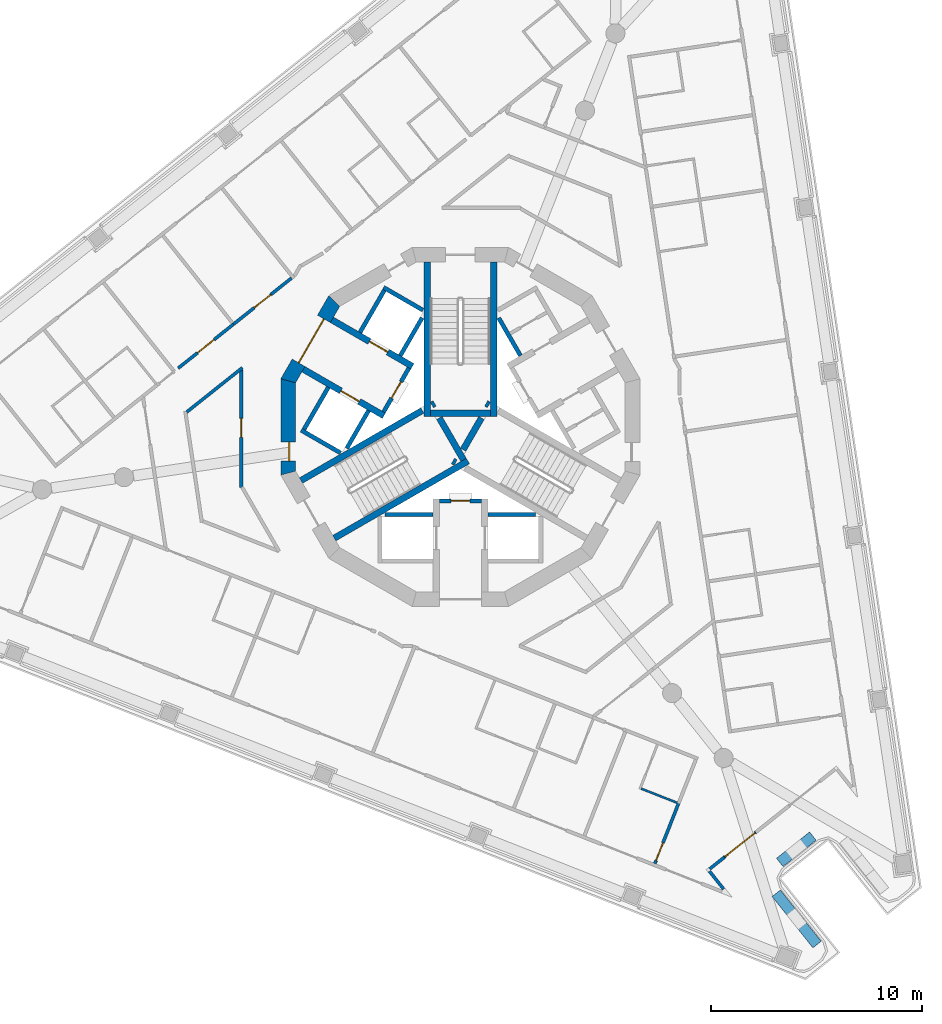
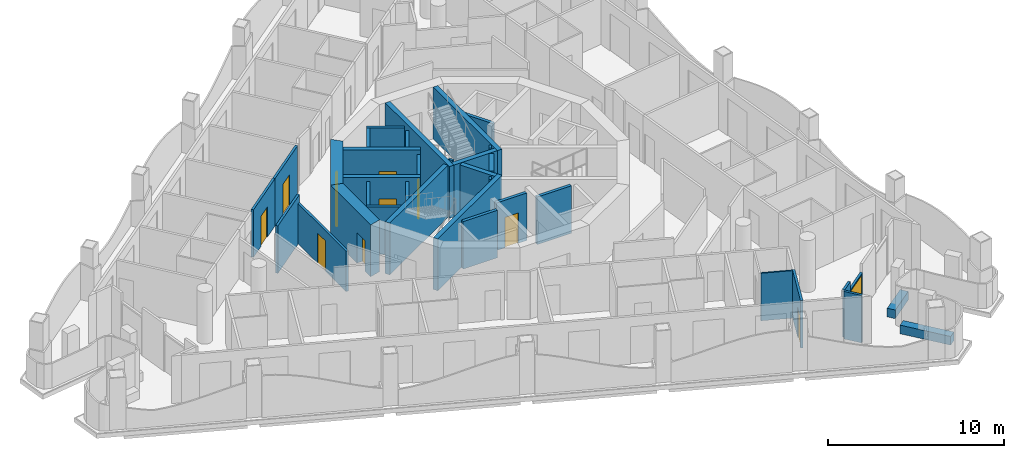
# One storey, part 4 of 16: 36 walls, 11 doors, 11 openings.
"""IFC4 building model written with IfcOpenShell, lengths in metres."""

from ifc_helpers import new_model, si_unit, direction, frame, frame_2d, origin, place, context, subcontext, project, spatial, polyline, rectangle, outline, extrude, material, layer, layer_set, type_object, element, fill, save


model = new_model("IFC4")

# Units and contexts
model_context = context("Model", 3, precision=1e-05, world=origin(), true_north=direction((0.0, 1.0)))
body_context = subcontext(model_context, "Body", "Model", "MODEL_VIEW")
ifc_project = project(units=[si_unit("LENGTHUNIT", "METRE"), si_unit("AREAUNIT", "SQUARE_METRE"), si_unit("VOLUMEUNIT", "CUBIC_METRE"), si_unit("PLANEANGLEUNIT", "RADIAN"), si_unit("MASSUNIT", "GRAM", prefix="KILO")], contexts=[model_context])

# Site, building, storey
site_placement = place(None, origin())
site = spatial("IfcSite", under=ifc_project, at=site_placement, CompositionType="ELEMENT")
building_placement = place(site_placement, origin())
building = spatial("IfcBuilding", under=site, at=building_placement, Name="Trine Commons Tower", CompositionType="ELEMENT")
storey_placement = place(building_placement, frame((0.0, 0.0, 205.199951171875)))
storey = spatial("IfcBuildingStorey", under=building, at=storey_placement, Name="L53", CompositionType="ELEMENT", Elevation=205.199951171875)

# Wall, opening, door
ifc_material_1 = material(Name="Aluminium-framed insulated wall panel", Category="aluminium")
ifc_layer_1 = layer(ifc_material_1, 0.14990234375)
ifc_layer_set_1 = layer_set([ifc_layer_1], Name="Aluminium-framed insulated wall panel")
wall_type_1 = type_object("IfcWallType", Name="Glazed frame wall 150, EI 60", PredefinedType="SOLIDWALL", material=ifc_layer_set_1)
wall_1_placement = place(storey_placement, frame((93.98095703125, 43.317138671875, 0.0), z_axis=(0.0, 0.0, 1.0), x_axis=(-0.782670764896, -0.622435919415, 0.0)))
wall_1 = element("IfcWall", 1, at=wall_1_placement, inside=storey, type_object=wall_type_1, Name="Glazed frame wall P2.4", PredefinedType="SOLIDWALL", context=body_context, shape_type="SweptSolid", body=[
    extrude(outline(polyline([(0.0, -0.074951171875), (1.89990234375, -0.074951171875), (1.89990234375, 0.074951171875), (0.0, 0.074951171875), (0.0, -0.074951171875)])), origin(), (0.0, 0.0, 1.0), 2.699951171875),
])
opening_1_placement = place(wall_1_placement, frame((0.050048828125, 0.0, 0.0)))
opening_1 = element("IfcOpeningElement", 2, at=opening_1_placement, cuts=wall_1, Name="Opening BD-6P2-02", PredefinedType="OPENING", context=body_context, shape_type="SweptSolid", body=[
    extrude(rectangle(XDim=1.800048828125, YDim=2.60009765625, at=frame_2d((0.89990234375, 1.300048828125))), frame((0.0, 0.0849609375, 0.0), z_axis=(0.0, -1.0, 0.0), x_axis=(1.0, 0.0, 0.0)), (0.0, 0.0, 1.0), 0.169921875),
])
ifc_material_2 = material(Name="Anodised aluminium frame with double glazing", Category="aluminium")
door_type_1 = type_object("IfcDoorType", Name="Sliding loggia door 1800x2600", OperationType="SLIDING_TO_LEFT", PredefinedType="DOOR", material=ifc_material_2)
door_1_placement = place(opening_1_placement, origin())
door_1 = element("IfcDoor", 3, at=door_1_placement, inside=storey, type_object=door_type_1, Name="Loggia door P2 2", OperationType="SLIDING_TO_LEFT", OverallHeight=2.60009765625, OverallWidth=1.800048828125, PredefinedType="DOOR", context=body_context, shape_type="SweptSolid", body=[
    extrude(rectangle(XDim=1.800048828125, YDim=2.60009765625, at=frame_2d((0.89990234375, 1.300048828125))), frame((0.0, 0.02490234375, 0.0), z_axis=(0.0, -1.0, 0.0), x_axis=(1.0, 0.0, 0.0)), (0.0, 0.0, 1.0), 0.050048828125),
])
fill(opening_1, door_1)

# Walls
wall_2_placement = place(storey_placement, frame((92.493896484375, 42.134521484375, 0.0), z_axis=(0.0, 0.0, 1.0), x_axis=(-0.782628082779, -0.622489585492, 0.0)))
element("IfcWall", 4, at=wall_2_placement, inside=storey, type_object=wall_type_1, Name="Glazed frame wall P2.5", PredefinedType="SOLIDWALL", context=body_context, shape_type="SweptSolid", body=[
    extrude(outline(polyline([(0.889892578125, 0.074951171875), (0.0, 0.074951171875), (0.0, -0.074951171875), (0.889892578125, -0.074951171875), (0.889892578125, 0.074951171875)])), origin(), (0.0, 0.0, 1.0), 3.300048828125),
])
wall_3_placement = place(storey_placement, frame((91.716796875, 41.56103515625, 0.0), z_axis=(0.0, 0.0, 1.0), x_axis=(0.622611995912, -0.7825307039, 0.0)))
element("IfcWall", 5, at=wall_3_placement, inside=storey, type_object=wall_type_1, Name="Glazed frame wall R8", PredefinedType="SOLIDWALL", context=body_context, shape_type="SweptSolid", body=[
    extrude(outline(polyline([(0.110107421875, 0.074951171875), (0.110107421875, -0.074951171875), (1.19580078125, -0.074951171875), (1.19580078125, 0.074951171875), (0.110107421875, 0.074951171875)])), origin(), (0.0, 0.0, 1.0), 3.300048828125),
])

# Wall, opening, door
ifc_material_3 = material(Name="Fire-rated gypsum shaft wall system")
ifc_layer_2 = layer(ifc_material_3, 0.199951171875)
ifc_layer_set_2 = layer_set([ifc_layer_2], Name="Fire-rated gypsum shaft wall system")
wall_type_2 = type_object("IfcWallType", Name="Lobby end wall 200 mm, EI 120", PredefinedType="PARTITIONING", material=ifc_layer_set_2)
wall_4_placement = place(storey_placement, frame((77.569091796875, 65.2890625, 0.0), z_axis=(0.0, 0.0, 1.0), x_axis=(-0.50012165622, -0.865955154139, 0.0)))
wall_4 = element("IfcWall", 6, at=wall_4_placement, inside=storey, type_object=wall_type_2, Name="Lobby end wall L53", PredefinedType="PARTITIONING", context=body_context, shape_type="SweptSolid", body=[
    extrude(rectangle(XDim=2.39990234375, YDim=0.199951171875, at=frame_2d((1.199951171875, 0.0))), origin(), (0.0, 0.0, 1.0), 3.300048828125),
])
opening_2_placement = place(wall_4_placement, frame((0.749755859375, 0.0, 0.0)))
opening_2 = element("IfcOpeningElement", 7, at=opening_2_placement, cuts=wall_4, Name="Opening K15.07", PredefinedType="OPENING", context=body_context, shape_type="SweptSolid", body=[
    extrude(rectangle(XDim=0.89990234375, YDim=2.10009765625, at=frame_2d((0.449951171875, 1.050048828125))), frame((0.0, 0.10986328125, 0.0), z_axis=(0.0, -1.0, 0.0), x_axis=(1.0, 0.0, 0.0)), (0.0, 0.0, 1.0), 0.219970703125),
])
ifc_material_4 = material(Name="Steel door leaf, fire-rated", Category="steel")
door_type_2 = type_object("IfcDoorType", Name="Riser access door, single leaf 900 x 2100, FD60", OperationType="SINGLE_SWING_LEFT", PredefinedType="DOOR", material=ifc_material_4)
door_2_placement = place(opening_2_placement, frame((0.89990234375, 0.0, 0.0), z_axis=(0.0, 0.0, 1.0), x_axis=(-1.0, 0.0, 0.0)))
door_2 = element("IfcDoor", 8, at=door_2_placement, inside=storey, type_object=door_type_2, Name="Riser door, Mechanical riser L53", OperationType="SINGLE_SWING_RIGHT", OverallHeight=2.10009765625, OverallWidth=0.89990234375, PredefinedType="DOOR", context=body_context, shape_type="SweptSolid", body=[
    extrude(rectangle(XDim=0.89990234375, YDim=2.10009765625, at=frame_2d((0.449951171875, 1.050048828125))), frame((0.0, 0.02490234375, 0.0), z_axis=(0.0, -1.0, 0.0), x_axis=(1.0, 0.0, 0.0)), (0.0, 0.0, 1.0), 0.050048828125),
])
fill(opening_2, door_2)

wall_5_placement = place(storey_placement, frame((79.0, 59.0, 0.0), z_axis=(0.0, 0.0, 1.0), x_axis=(1.0, 0.0, 0.0)))
wall_5 = element("IfcWall", 9, at=wall_5_placement, inside=storey, type_object=wall_type_2, Name="Lobby end wall L53", PredefinedType="PARTITIONING", context=body_context, shape_type="SweptSolid", body=[
    extrude(rectangle(XDim=2.0, YDim=0.199951171875, at=frame_2d((1.0, 0.0))), origin(), (0.0, 0.0, 1.0), 3.300048828125),
])
opening_3_placement = place(wall_5_placement, frame((0.550048828125, 0.0, 0.0)))
opening_3 = element("IfcOpeningElement", 10, at=opening_3_placement, cuts=wall_5, Name="Opening K15.09", PredefinedType="OPENING", context=body_context, shape_type="SweptSolid", body=[
    extrude(rectangle(XDim=0.89990234375, YDim=2.10009765625, at=frame_2d((0.449951171875, 1.050048828125))), frame((0.0, 0.10986328125, 0.0), z_axis=(0.0, -1.0, 0.0), x_axis=(1.0, 0.0, 0.0)), (0.0, 0.0, 1.0), 0.219970703125),
])
door_3_placement = place(opening_3_placement, frame((0.89990234375, 0.0, 0.0), z_axis=(0.0, 0.0, 1.0), x_axis=(-1.0, 0.0, 0.0)))
door_3 = element("IfcDoor", 11, at=door_3_placement, inside=storey, type_object=door_type_2, Name="Riser door, Communications riser L53", OperationType="SINGLE_SWING_RIGHT", OverallHeight=2.10009765625, OverallWidth=0.89990234375, PredefinedType="DOOR", context=body_context, shape_type="SweptSolid", body=[
    extrude(rectangle(XDim=0.89990234375, YDim=2.10009765625, at=frame_2d((0.449951171875, 1.050048828125))), frame((0.0, 0.02490234375, 0.0), z_axis=(0.0, -1.0, 0.0), x_axis=(1.0, 0.0, 0.0)), (0.0, 0.0, 1.0), 0.050048828125),
])
fill(opening_3, door_3)

# Walls
ifc_material_5 = material(Name="Planter trough, precast concrete C40/50", Category="concrete")
ifc_layer_3 = layer(ifc_material_5, 0.5)
ifc_layer_set_3 = layer_set([ifc_layer_3], Name="Planter trough, precast concrete C40/50")
wall_type_3 = type_object("IfcWallType", Name="Planter trough 500x600", PredefinedType="PARAPET", material=ifc_layer_set_3)
wall_6_placement = place(storey_placement, frame((96.68212890625, 43.134033203125, 0.0), z_axis=(0.0, 0.0, 1.0), x_axis=(-0.782580779818, -0.622549052733, 0.0)))
element("IfcWall", 12, at=wall_6_placement, inside=storey, type_object=wall_type_3, Name="Planter 8", PredefinedType="PARAPET", context=body_context, shape_type="SweptSolid", body=[
    extrude(rectangle(XDim=2.0, YDim=0.5, at=frame_2d((1.0, 0.0))), origin(), (0.0, 0.0, 1.0), 0.60009765625),
])
wall_7_placement = place(storey_placement, frame((94.950439453125, 40.427490234375, 0.0), z_axis=(0.0, 0.0, 1.0), x_axis=(0.622550971161, -0.782579253691, 0.0)))
element("IfcWall", 13, at=wall_7_placement, inside=storey, type_object=wall_type_3, Name="Planter 9", PredefinedType="PARAPET", context=body_context, shape_type="SweptSolid", body=[
    extrude(rectangle(XDim=3.10009765625, YDim=0.5, at=frame_2d((1.550048828125, 0.0))), origin(), (0.0, 0.0, 1.0), 0.60009765625),
])

# Wall, opening, door
ifc_material_6 = material(Name="Concrete C60/75", Category="concrete")
ifc_layer_4 = layer(ifc_material_6, 0.300048828125)
ifc_layer_set_4 = layer_set([ifc_layer_4], Name="Concrete C60/75")
wall_type_4 = type_object("IfcWallType", Name="RC shear wall 300 mm, C60/75", PredefinedType="SHEAR", material=ifc_layer_set_4)
wall_8_placement = place(storey_placement, frame((76.381103515625, 63.031005859375, 0.0), z_axis=(0.0, 0.0, 1.0), x_axis=(-0.866059941101, 0.499940174841, 0.0)))
wall_8 = element("IfcWall", 14, at=wall_8_placement, inside=storey, type_object=wall_type_4, Name="Core cross wall SWC-01 L53", PredefinedType="SHEAR", context=body_context, shape_type="SweptSolid", body=[
    extrude(rectangle(XDim=4.400390625, YDim=0.300048828125, at=frame_2d((2.2001953125, 0.0))), origin(), (0.0, 0.0, 1.0), 3.60009765625),
])
opening_4_placement = place(wall_8_placement, frame((1.350341796875, 0.0, 0.0)))
opening_4 = element("IfcOpeningElement", 15, at=opening_4_placement, cuts=wall_8, Name="Opening LD7", PredefinedType="OPENING", context=body_context, shape_type="SweptSolid", body=[
    extrude(rectangle(XDim=1.0, YDim=2.10009765625, at=frame_2d((0.5, 1.050048828125))), frame((0.0, 0.159912109375, 0.0), z_axis=(0.0, -1.0, 0.0), x_axis=(1.0, 0.0, 0.0)), (0.0, 0.0, 1.0), 0.320068359375),
])
ifc_material_7 = material(Name="Stainless steel sliding door leaves", Category="steel")
door_type_3 = type_object("IfcDoorType", Name="Lift landing door, centre-opening sliding 1000 x 2100, FD90", OperationType="DOUBLE_DOOR_SLIDING", PredefinedType="DOOR", material=ifc_material_7)
door_4_placement = place(opening_4_placement, origin())
door_4 = element("IfcDoor", 16, at=door_4_placement, inside=storey, type_object=door_type_3, Name="Lift landing door HR3 L53", OperationType="DOUBLE_DOOR_SLIDING", OverallHeight=2.10009765625, OverallWidth=1.0, PredefinedType="DOOR", context=body_context, shape_type="SweptSolid", body=[
    extrude(rectangle(XDim=1.0, YDim=2.10009765625, at=frame_2d((0.5, 1.050048828125))), frame((0.0, 0.02490234375, 0.0), z_axis=(0.0, -1.0, 0.0), x_axis=(1.0, 0.0, 0.0)), (0.0, 0.0, 1.0), 0.050048828125),
])
fill(opening_4, door_4)

wall_9_placement = place(storey_placement, frame((77.73095703125, 65.368896484375, 0.0), z_axis=(0.0, 0.0, 1.0), x_axis=(-0.866035918664, 0.499981787252, 0.0)))
wall_9 = element("IfcWall", 17, at=wall_9_placement, inside=storey, type_object=wall_type_4, Name="Core cross wall SWC-02 L53", PredefinedType="SHEAR", context=body_context, shape_type="SweptSolid", body=[
    extrude(rectangle(XDim=4.400634765625, YDim=0.300048828125, at=frame_2d((2.2001953125, 0.0))), origin(), (0.0, 0.0, 1.0), 3.60009765625),
])
opening_5_placement = place(wall_9_placement, frame((1.3505859375, 0.0, 0.0)))
opening_5 = element("IfcOpeningElement", 18, at=opening_5_placement, cuts=wall_9, Name="Opening LD8", PredefinedType="OPENING", context=body_context, shape_type="SweptSolid", body=[
    extrude(rectangle(XDim=1.0, YDim=2.10009765625, at=frame_2d((0.5, 1.050048828125))), frame((0.0, 0.159912109375, 0.0), z_axis=(0.0, -1.0, 0.0), x_axis=(1.0, 0.0, 0.0)), (0.0, 0.0, 1.0), 0.320068359375),
])
door_5_placement = place(opening_5_placement, origin())
door_5 = element("IfcDoor", 19, at=door_5_placement, inside=storey, type_object=door_type_3, Name="Lift landing door HR4 L53", OperationType="DOUBLE_DOOR_SLIDING", OverallHeight=2.10009765625, OverallWidth=1.0, PredefinedType="DOOR", context=body_context, shape_type="SweptSolid", body=[
    extrude(rectangle(XDim=1.0, YDim=2.10009765625, at=frame_2d((0.5, 1.050048828125))), frame((0.0, 0.02490234375, 0.0), z_axis=(0.0, -1.0, 0.0), x_axis=(1.0, 0.0, 0.0)), (0.0, 0.0, 1.0), 0.050048828125),
])
fill(opening_5, door_5)

# Walls
wall_10_placement = place(storey_placement, frame((78.199951171875, 63.280029296875, 0.0), z_axis=(0.0, 0.0, 1.0), x_axis=(-0.866009627307, -0.500027324665, 0.0)))
element("IfcWall", 20, at=wall_10_placement, inside=storey, type_object=wall_type_4, Name="Core cross wall SWC-07 L53", PredefinedType="SHEAR", context=body_context, shape_type="SweptSolid", body=[
    extrude(rectangle(XDim=6.631591796875, YDim=0.300048828125, at=frame_2d((3.31591796875, 0.0))), origin(), (0.0, 0.0, 1.0), 3.60009765625),
])
wall_11_placement = place(storey_placement, frame((78.425048828125, 63.0009765625, 0.0), z_axis=(0.0, 0.0, 1.0), x_axis=(0.0, 1.0, 0.0)))
element("IfcWall", 21, at=wall_11_placement, inside=storey, type_object=wall_type_4, Name="Core cross wall SWC-08 L53", PredefinedType="SHEAR", context=body_context, shape_type="SweptSolid", body=[
    extrude(rectangle(XDim=7.299072265625, YDim=0.300048828125, at=frame_2d((3.6494140625, 0.0))), origin(), (0.0, 0.0, 1.0), 3.60009765625),
])
wall_12_placement = place(storey_placement, frame((78.779052734375, 63.614013671875, 0.0), z_axis=(0.0, 0.0, 1.0), x_axis=(-0.867737973955, -0.497021939713, 0.0)))
element("IfcWall", 22, at=wall_12_placement, inside=storey, type_object=wall_type_4, Name="Core cross wall SWC-09 L53", PredefinedType="SHEAR", context=body_context, shape_type="SweptSolid", body=[
    extrude(rectangle(XDim=0.14892578125, YDim=0.300048828125, at=frame_2d((0.074462890625, 0.0))), origin(), (0.0, 0.0, 1.0), 3.60009765625),
])
wall_13_placement = place(storey_placement, frame((79.0029296875, 62.926025390625, 0.0), z_axis=(0.0, 0.0, 1.0), x_axis=(0.499965247104, -0.866045467449, 0.0)))
element("IfcWall", 23, at=wall_13_placement, inside=storey, type_object=wall_type_4, Name="Core cross wall SWC-10 L53", PredefinedType="SHEAR", context=body_context, shape_type="SweptSolid", body=[
    extrude(rectangle(XDim=2.292236328125, YDim=0.300048828125, at=frame_2d((1.14599609375, 0.0))), origin(), (0.0, 0.0, 1.0), 3.60009765625),
])
wall_14_placement = place(storey_placement, frame((79.64599609375, 60.885986328125, 0.0), z_axis=(0.0, 0.0, 1.0), x_axis=(0.867331893649, -0.497730234424, 0.0)))
element("IfcWall", 24, at=wall_14_placement, inside=storey, type_object=wall_type_4, Name="Core cross wall SWC-11 L53", PredefinedType="SHEAR", context=body_context, shape_type="SweptSolid", body=[
    extrude(rectangle(XDim=0.148681640625, YDim=0.300048828125, at=frame_2d((0.07421875, 0.0))), origin(), (0.0, 0.0, 1.0), 3.60009765625),
])
wall_15_placement = place(storey_placement, frame((80.1298828125, 61.424072265625, 0.0), z_axis=(0.0, 0.0, 1.0), x_axis=(0.500014901547, 0.866016800201, 0.0)))
element("IfcWall", 25, at=wall_15_placement, inside=storey, type_object=wall_type_4, Name="Core cross wall SWC-12 L53", PredefinedType="SHEAR", context=body_context, shape_type="SweptSolid", body=[
    extrude(rectangle(XDim=1.734375, YDim=0.300048828125, at=frame_2d((0.8671875, 0.0))), origin(), (0.0, 0.0, 1.0), 3.60009765625),
])
wall_16_placement = place(storey_placement, frame((80.35400390625, 60.885986328125, 0.0), z_axis=(0.0, 0.0, 1.0), x_axis=(-0.866032430508, -0.49998782916, 0.0)))
element("IfcWall", 26, at=wall_16_placement, inside=storey, type_object=wall_type_4, Name="Core cross wall SWC-14 L53", PredefinedType="SHEAR", context=body_context, shape_type="SweptSolid", body=[
    extrude(rectangle(XDim=7.300048828125, YDim=0.300048828125, at=frame_2d((3.64990234375, 0.0))), origin(), (0.0, 0.0, 1.0), 3.60009765625),
])
wall_17_placement = place(storey_placement, frame((81.220947265625, 63.614013671875, 0.0), z_axis=(0.0, 0.0, 1.0), x_axis=(0.867737973955, -0.497021939713, 0.0)))
element("IfcWall", 27, at=wall_17_placement, inside=storey, type_object=wall_type_4, Name="Core cross wall SWC-15 L53", PredefinedType="SHEAR", context=body_context, shape_type="SweptSolid", body=[
    extrude(rectangle(XDim=0.14892578125, YDim=0.300048828125, at=frame_2d((0.074462890625, 0.0))), origin(), (0.0, 0.0, 1.0), 3.60009765625),
])
wall_18_placement = place(storey_placement, frame((81.425048828125, 63.15087890625, 0.0), z_axis=(0.0, 0.0, 1.0), x_axis=(-1.0, 0.0, 0.0)))
element("IfcWall", 28, at=wall_18_placement, inside=storey, type_object=wall_type_4, Name="Core cross wall SWC-16 L53", PredefinedType="SHEAR", context=body_context, shape_type="SweptSolid", body=[
    extrude(rectangle(XDim=2.85009765625, YDim=0.300048828125, at=frame_2d((1.425048828125, 0.0))), origin(), (0.0, 0.0, 1.0), 3.60009765625),
])
wall_19_placement = place(storey_placement, frame((81.574951171875, 63.0009765625, 0.0), z_axis=(0.0, 0.0, 1.0), x_axis=(0.0, 1.0, 0.0)))
element("IfcWall", 29, at=wall_19_placement, inside=storey, type_object=wall_type_4, Name="Core cross wall SWC-17 L53", PredefinedType="SHEAR", context=body_context, shape_type="SweptSolid", body=[
    extrude(rectangle(XDim=7.299072265625, YDim=0.300048828125, at=frame_2d((3.6494140625, 0.0))), origin(), (0.0, 0.0, 1.0), 3.60009765625),
])

# Wall, opening, door
ifc_layer_5 = layer(ifc_material_6, 0.699951171875)
ifc_layer_set_5 = layer_set([ifc_layer_5], Name="Concrete C60/75")
wall_type_5 = type_object("IfcWallType", Name="RC shear wall 700 mm, C60/75", PredefinedType="SHEAR", material=ifc_layer_set_5)
wall_20_placement = place(storey_placement, frame((74.08056640625, 68.547607421875, 0.0), z_axis=(0.0, 0.0, 1.0), x_axis=(-0.499983800959, -0.866034756103, 0.0)))
wall_20 = element("IfcWall", 30, at=wall_20_placement, inside=storey, type_object=wall_type_5, Name="Core wall CWF-06 L53", PredefinedType="SHEAR", context=body_context, shape_type="SweptSolid", body=[
    extrude(outline(polyline([(0.0, -0.35009765625), (4.55517578125, -0.35009765625), (4.36767578125, 0.35009765625), (0.1875, 0.35009765625), (0.0, -0.35009765625)])), origin(), (0.0, 0.0, 1.0), 3.60009765625),
])
opening_6_placement = place(wall_20_placement, frame((1.077392578125, 0.0, 0.0)))
opening_6 = element("IfcOpeningElement", 31, at=opening_6_placement, cuts=wall_20, Name="Opening K15.06", PredefinedType="OPENING", context=body_context, shape_type="SweptSolid", body=[
    extrude(rectangle(XDim=2.39990234375, YDim=2.10009765625, at=frame_2d((1.199951171875, 1.050048828125))), frame((0.0, 0.35986328125, 0.0), z_axis=(0.0, -1.0, 0.0), x_axis=(1.0, 0.0, 0.0)), (0.0, 0.0, 1.0), 0.719970703125),
])
ifc_material_8 = material(Name="Steel door leaves, fire-rated", Category="steel")
door_type_4 = type_object("IfcDoorType", Name="Lobby door, double leaf 2400 x 2100, FD60", OperationType="DOUBLE_DOOR_SINGLE_SWING", PredefinedType="DOOR", material=ifc_material_8)
door_6_placement = place(opening_6_placement, origin())
door_6 = element("IfcDoor", 32, at=door_6_placement, inside=storey, type_object=door_type_4, Name="Lobby door, Passenger lift lobby B L53", OperationType="DOUBLE_DOOR_SINGLE_SWING", OverallHeight=2.10009765625, OverallWidth=2.39990234375, PredefinedType="DOOR", context=body_context, shape_type="SweptSolid", body=[
    extrude(rectangle(XDim=2.39990234375, YDim=2.10009765625, at=frame_2d((1.199951171875, 1.050048828125))), frame((0.0, 0.02490234375, 0.0), z_axis=(0.0, -1.0, 0.0), x_axis=(1.0, 0.0, 0.0)), (0.0, 0.0, 1.0), 0.050048828125),
])
fill(opening_6, door_6)

wall_21_placement = place(storey_placement, frame((71.849853515625, 64.777587890625, 0.0), z_axis=(0.0, 0.0, 1.0), x_axis=(0.0, -1.0, 0.0)))
wall_21 = element("IfcWall", 33, at=wall_21_placement, inside=storey, type_object=wall_type_5, Name="Core wall CWF-07 L53", PredefinedType="SHEAR", context=body_context, shape_type="SweptSolid", body=[
    extrude(outline(polyline([(0.0, -0.35009765625), (4.55517578125, -0.35009765625), (4.36767578125, 0.35009765625), (0.1875, 0.35009765625), (0.0, -0.35009765625)])), origin(), (0.0, 0.0, 1.0), 3.60009765625),
])
opening_7_placement = place(wall_21_placement, frame((2.99169921875, 0.0, 0.0)))
opening_7 = element("IfcOpeningElement", 34, at=opening_7_placement, cuts=wall_21, Name="Opening K15.16", PredefinedType="OPENING", context=body_context, shape_type="SweptSolid", body=[
    extrude(rectangle(XDim=0.89990234375, YDim=2.10009765625, at=frame_2d((0.449951171875, 1.050048828125))), frame((0.0, 0.35986328125, 0.0), z_axis=(0.0, -1.0, 0.0), x_axis=(1.0, 0.0, 0.0)), (0.0, 0.0, 1.0), 0.719970703125),
])
door_type_5 = type_object("IfcDoorType", Name="Core room door, single leaf 900 x 2100, FD30S", OperationType="SINGLE_SWING_LEFT", PredefinedType="DOOR", material=ifc_material_4)
door_7_placement = place(opening_7_placement, origin())
door_7 = element("IfcDoor", 35, at=door_7_placement, inside=storey, type_object=door_type_5, Name="Door to Pantry L53", OperationType="SINGLE_SWING_RIGHT", OverallHeight=2.10009765625, OverallWidth=0.89990234375, PredefinedType="DOOR", context=body_context, shape_type="SweptSolid", body=[
    extrude(rectangle(XDim=0.89990234375, YDim=2.10009765625, at=frame_2d((0.449951171875, 1.050048828125))), frame((0.0, 0.0751953125, 0.0), z_axis=(0.0, -1.0, 0.0), x_axis=(1.0, 0.0, 0.0)), (0.0, 0.0, 1.0), 0.050048828125),
])
fill(opening_7, door_7)

# Walls
ifc_layer_6 = layer(ifc_material_3, 0.199951171875)
ifc_layer_set_6 = layer_set([ifc_layer_6], Name="Fire-rated gypsum shaft wall system")
wall_type_6 = type_object("IfcWallType", Name="Shaft wall 200 mm, EI 120", PredefinedType="PARTITIONING", material=ifc_layer_set_6)
wall_22_placement = place(storey_placement, frame((73.7509765625, 64.3759765625, 0.0), z_axis=(0.0, 0.0, 1.0), x_axis=(-0.500136062276, -0.86594683394, 0.0)))
element("IfcWall", 36, at=wall_22_placement, inside=storey, type_object=wall_type_6, Name="Shaft wall L53", PredefinedType="PARTITIONING", context=body_context, shape_type="SweptSolid", body=[
    extrude(rectangle(XDim=2.299072265625, YDim=0.199951171875, at=frame_2d((1.1494140625, 0.0))), origin(), (0.0, 0.0, 1.0), 3.300048828125),
])
wall_23_placement = place(storey_placement, frame((74.324951171875, 61.27392578125, 0.0), z_axis=(0.0, 0.0, 1.0), x_axis=(-0.866102336459, 0.499866725018, 0.0)))
element("IfcWall", 37, at=wall_23_placement, inside=storey, type_object=wall_type_6, Name="Shaft wall L53", PredefinedType="PARTITIONING", context=body_context, shape_type="SweptSolid", body=[
    extrude(rectangle(XDim=2.1484375, YDim=0.199951171875, at=frame_2d((1.07421875, 0.0))), origin(), (0.0, 0.0, 1.0), 3.300048828125),
])
wall_24_placement = place(storey_placement, frame((75.2509765625, 66.97412109375, 0.0), z_axis=(0.0, 0.0, 1.0), x_axis=(0.500136062276, 0.86594683394, 0.0)))
element("IfcWall", 38, at=wall_24_placement, inside=storey, type_object=wall_type_6, Name="Shaft wall L53", PredefinedType="PARTITIONING", context=body_context, shape_type="SweptSolid", body=[
    extrude(rectangle(XDim=2.299072265625, YDim=0.199951171875, at=frame_2d((1.1494140625, 0.0))), origin(), (0.0, 0.0, 1.0), 3.300048828125),
])
wall_25_placement = place(storey_placement, frame((75.656005859375, 63.27587890625, 0.0), z_axis=(0.0, 0.0, 1.0), x_axis=(-0.500271688072, -0.86586848777, 0.0)))
element("IfcWall", 39, at=wall_25_placement, inside=storey, type_object=wall_type_6, Name="Shaft wall L53", PredefinedType="PARTITIONING", context=body_context, shape_type="SweptSolid", body=[
    extrude(rectangle(XDim=2.064697265625, YDim=0.199951171875, at=frame_2d((1.0322265625, 0.0))), origin(), (0.0, 0.0, 1.0), 3.300048828125),
])
wall_26_placement = place(storey_placement, frame((77.156005859375, 65.8740234375, 0.0), z_axis=(0.0, 0.0, 1.0), x_axis=(0.499865770674, 0.866102887253, 0.0)))
element("IfcWall", 40, at=wall_26_placement, inside=storey, type_object=wall_type_6, Name="Shaft wall L53", PredefinedType="PARTITIONING", context=body_context, shape_type="SweptSolid", body=[
    extrude(rectangle(XDim=2.064453125, YDim=0.199951171875, at=frame_2d((1.0322265625, 0.0))), origin(), (0.0, 0.0, 1.0), 3.300048828125),
])
wall_27_placement = place(storey_placement, frame((78.22509765625, 68.028076171875, 0.0), z_axis=(0.0, 0.0, 1.0), x_axis=(-0.866130725101, 0.499817533742, 0.0)))
element("IfcWall", 41, at=wall_27_placement, inside=storey, type_object=wall_type_6, Name="Shaft wall L53", PredefinedType="PARTITIONING", context=body_context, shape_type="SweptSolid", body=[
    extrude(rectangle(XDim=2.148681640625, YDim=0.199951171875, at=frame_2d((1.07421875, 0.0))), origin(), (0.0, 0.0, 1.0), 3.300048828125),
])
for number, where, z_axis, x_axis, name in (
    (42, (78.699951171875, 58.35009765625, 0.0), (0.0, 0.0, 1.0), (-1.0, 0.0, 0.0), "Shaft wall L53"),
    (43, (81.300048828125, 58.35009765625, 0.0), (0.0, 0.0, 1.0), (1.0, 0.0, 0.0), "Shaft wall L53"),
):
    element("IfcWall", number, at=place(storey_placement, frame(where, z_axis=z_axis, x_axis=x_axis)), inside=storey, type_object=wall_type_6, Name=name, PredefinedType="PARTITIONING", context=body_context, shape_type="SweptSolid", body=[
        extrude(rectangle(XDim=2.264892578125, YDim=0.199951171875, at=frame_2d((1.13232421875, 0.0))), origin(), (0.0, 0.0, 1.0), 3.300048828125),
    ])
wall_28_placement = place(storey_placement, frame((82.843994140625, 65.8740234375, 0.0), z_axis=(0.0, 0.0, 1.0), x_axis=(-0.499865770674, 0.866102887253, 0.0)))
element("IfcWall", 44, at=wall_28_placement, inside=storey, type_object=wall_type_6, Name="Shaft wall L53", PredefinedType="PARTITIONING", context=body_context, shape_type="SweptSolid", body=[
    extrude(rectangle(XDim=2.064453125, YDim=0.199951171875, at=frame_2d((1.0322265625, 0.0))), origin(), (0.0, 0.0, 1.0), 3.300048828125),
])

# Wall, opening, door
ifc_material_9 = material(Name="Gypsum plasterboard on steel stud", Category="steel")
ifc_layer_7 = layer(ifc_material_9, 0.14990234375)
ifc_layer_set_7 = layer_set([ifc_layer_7], Name="Gypsum plasterboard on steel stud")
wall_type_7 = type_object("IfcWallType", Name="Unit and corridor wall 150 mm, EI 60", PredefinedType="PARTITIONING", material=ifc_layer_set_7)
wall_29_placement = place(storey_placement, frame((66.64306640625, 65.280029296875, 0.0), z_axis=(0.0, 0.0, 1.0), x_axis=(0.782743987557, 0.622343835788, 0.0)))
wall_29 = element("IfcWall", 45, at=wall_29_placement, inside=storey, type_object=wall_type_7, Name="Partition 023", PredefinedType="PARTITIONING", context=body_context, shape_type="SweptSolid", body=[
    extrude(rectangle(XDim=3.346923828125, YDim=0.14990234375, at=frame_2d((1.67333984375, 0.0))), origin(), (0.0, 0.0, 1.0), 3.300048828125),
])
opening_8_placement = place(wall_29_placement, frame((1.171875, 0.0, 0.0)))
opening_8 = element("IfcOpeningElement", 46, at=opening_8_placement, cuts=wall_29, Name="Opening D-6A07", PredefinedType="OPENING", context=body_context, shape_type="SweptSolid", body=[
    extrude(rectangle(XDim=1.0, YDim=2.10009765625, at=frame_2d((0.5, 1.050048828125))), frame((0.0, 0.0849609375, 0.0), z_axis=(0.0, -1.0, 0.0), x_axis=(1.0, 0.0, 0.0)), (0.0, 0.0, 1.0), 0.169921875),
])
ifc_material_10 = material(Name="Painted timber", Category="wood")
door_type_6 = type_object("IfcDoorType", Name="Amenity room door 1000 x 2100, NOT RATED", OperationType="NOTDEFINED", PredefinedType="DOOR", material=ifc_material_10)
door_8_placement = place(opening_8_placement, origin())
door_8 = element("IfcDoor", 47, at=door_8_placement, inside=storey, type_object=door_type_6, Name="Door D-6A07", OperationType="SINGLE_SWING_LEFT", OverallHeight=2.10009765625, OverallWidth=1.0, PredefinedType="DOOR", context=body_context, shape_type="SweptSolid", body=[
    extrude(rectangle(XDim=1.0, YDim=2.10009765625, at=frame_2d((0.5, 1.050048828125))), frame((0.0, 0.02490234375, 0.0), z_axis=(0.0, -1.0, 0.0), x_axis=(1.0, 0.0, 0.0)), (0.0, 0.0, 1.0), 0.050048828125),
])
fill(opening_8, door_8)

# Wall
wall_30_placement = place(storey_placement, frame((67.0498046875, 63.206787109375, 0.0), z_axis=(0.0, 0.0, 1.0), x_axis=(0.782472540885, 0.622685091166, 0.0)))
element("IfcWall", 48, at=wall_30_placement, inside=storey, type_object=wall_type_7, Name="Partition 025", PredefinedType="PARTITIONING", context=body_context, shape_type="SweptSolid", body=[
    extrude(rectangle(XDim=3.365966796875, YDim=0.14990234375, at=frame_2d((1.68310546875, 0.0))), origin(), (0.0, 0.0, 1.0), 3.300048828125),
])

# Wall, opening, door
wall_31_placement = place(storey_placement, frame((69.257080078125, 67.35888671875, 0.0), z_axis=(0.0, 0.0, 1.0), x_axis=(0.782922929563, 0.622118707615, 0.0)))
wall_31 = element("IfcWall", 49, at=wall_31_placement, inside=storey, type_object=wall_type_7, Name="Partition 031", PredefinedType="PARTITIONING", context=body_context, shape_type="SweptSolid", body=[
    extrude(rectangle(XDim=3.517822265625, YDim=0.14990234375, at=frame_2d((1.7587890625, 0.0))), origin(), (0.0, 0.0, 1.0), 3.300048828125),
])
opening_9_placement = place(wall_31_placement, frame((1.2607421875, 0.0, 0.0)))
opening_9 = element("IfcOpeningElement", 50, at=opening_9_placement, cuts=wall_31, Name="Opening D-6A08", PredefinedType="OPENING", context=body_context, shape_type="SweptSolid", body=[
    extrude(rectangle(XDim=1.0, YDim=2.10009765625, at=frame_2d((0.5, 1.050048828125))), frame((0.0, 0.0849609375, 0.0), z_axis=(0.0, -1.0, 0.0), x_axis=(1.0, 0.0, 0.0)), (0.0, 0.0, 1.0), 0.169921875),
])
door_9_placement = place(opening_9_placement, origin())
door_9 = element("IfcDoor", 51, at=door_9_placement, inside=storey, type_object=door_type_6, Name="Door D-6A08", OperationType="SINGLE_SWING_RIGHT", OverallHeight=2.10009765625, OverallWidth=1.0, PredefinedType="DOOR", context=body_context, shape_type="SweptSolid", body=[
    extrude(rectangle(XDim=1.0, YDim=2.10009765625, at=frame_2d((0.5, 1.050048828125))), frame((0.0, 0.02490234375, 0.0), z_axis=(0.0, -1.0, 0.0), x_axis=(1.0, 0.0, 0.0)), (0.0, 0.0, 1.0), 0.050048828125),
])
fill(opening_9, door_9)

wall_32_placement = place(storey_placement, frame((69.625, 59.64501953125, 0.0), z_axis=(0.0, 0.0, 1.0), x_axis=(0.0, 1.0, 0.0)))
wall_32 = element("IfcWall", 52, at=wall_32_placement, inside=storey, type_object=wall_type_7, Name="Partition 032", PredefinedType="PARTITIONING", context=body_context, shape_type="SweptSolid", body=[
    extrude(rectangle(XDim=5.5400390625, YDim=0.14990234375, at=frame_2d((2.77001953125, 0.0))), origin(), (0.0, 0.0, 1.0), 2.800048828125),
])
opening_10_placement = place(wall_32_placement, frame((2.357421875, 0.0, 0.0)))
opening_10 = element("IfcOpeningElement", 53, at=opening_10_placement, cuts=wall_32, Name="Opening D-6A28", PredefinedType="OPENING", context=body_context, shape_type="SweptSolid", body=[
    extrude(rectangle(XDim=0.89990234375, YDim=2.10009765625, at=frame_2d((0.449951171875, 1.050048828125))), frame((0.0, 0.0849609375, 0.0), z_axis=(0.0, -1.0, 0.0), x_axis=(1.0, 0.0, 0.0)), (0.0, 0.0, 1.0), 0.169921875),
])
ifc_material_11 = material(Name="Timber fire door set", Category="wood")
door_type_7 = type_object("IfcDoorType", Name="Service door 900 x 2100, FD30S", OperationType="NOTDEFINED", PredefinedType="DOOR", material=ifc_material_11)
door_10_placement = place(opening_10_placement, origin())
door_10 = element("IfcDoor", 54, at=door_10_placement, inside=storey, type_object=door_type_7, Name="Door D-6A28", OperationType="SINGLE_SWING_RIGHT", OverallHeight=2.10009765625, OverallWidth=0.89990234375, PredefinedType="DOOR", context=body_context, shape_type="SweptSolid", body=[
    extrude(rectangle(XDim=0.89990234375, YDim=2.10009765625, at=frame_2d((0.449951171875, 1.050048828125))), frame((0.0, 0.02490234375, 0.0), z_axis=(0.0, -1.0, 0.0), x_axis=(1.0, 0.0, 0.0)), (0.0, 0.0, 1.0), 0.050048828125),
])
fill(opening_10, door_10)

wall_33_placement = place(storey_placement, frame((89.20458984375, 41.838134765625, 0.0), z_axis=(0.0, 0.0, 1.0), x_axis=(0.366573872911, 0.930388948612, 0.0)))
wall_33 = element("IfcWall", 55, at=wall_33_placement, inside=storey, type_object=wall_type_7, Name="Partition 100", PredefinedType="PARTITIONING", context=body_context, shape_type="SweptSolid", body=[
    extrude(rectangle(XDim=3.1142578125, YDim=0.14990234375, at=frame_2d((1.55712890625, 0.0))), origin(), (0.0, 0.0, 1.0), 3.300048828125),
])
opening_11_placement = place(wall_33_placement, frame((0.14990234375, 0.0, 0.0)))
opening_11 = element("IfcOpeningElement", 56, at=opening_11_placement, cuts=wall_33, Name="Opening D-6A20", PredefinedType="OPENING", context=body_context, shape_type="SweptSolid", body=[
    extrude(rectangle(XDim=0.89990234375, YDim=2.10009765625, at=frame_2d((0.449951171875, 1.050048828125))), frame((0.0, 0.0849609375, 0.0), z_axis=(0.0, -1.0, 0.0), x_axis=(1.0, 0.0, 0.0)), (0.0, 0.0, 1.0), 0.169921875),
])
door_type_8 = type_object("IfcDoorType", Name="Bedroom door 900 x 2100, FD30S", OperationType="NOTDEFINED", PredefinedType="DOOR", material=ifc_material_11)
door_11_placement = place(opening_11_placement, origin())
door_11 = element("IfcDoor", 57, at=door_11_placement, inside=storey, type_object=door_type_8, Name="Door D-6A20", OperationType="SINGLE_SWING_LEFT", OverallHeight=2.10009765625, OverallWidth=0.89990234375, PredefinedType="DOOR", context=body_context, shape_type="SweptSolid", body=[
    extrude(rectangle(XDim=0.89990234375, YDim=2.10009765625, at=frame_2d((0.449951171875, 1.050048828125))), frame((0.0, 0.02490234375, 0.0), z_axis=(0.0, -1.0, 0.0), x_axis=(1.0, 0.0, 0.0)), (0.0, 0.0, 1.0), 0.050048828125),
])
fill(opening_11, door_11)

# Wall
ifc_layer_8 = layer(ifc_material_9, 0.10009765625)
ifc_layer_set_8 = layer_set([ifc_layer_8], Name="Gypsum plasterboard on steel stud")
wall_type_8 = type_object("IfcWallType", Name="Unit partition 100 mm, no rating", PredefinedType="PARTITIONING", material=ifc_layer_set_8)
wall_34_placement = place(storey_placement, frame((88.55859375, 45.381591796875, 0.0), z_axis=(0.0, 0.0, 1.0), x_axis=(0.93039180792, -0.366566615712, 0.0)))
element("IfcWall", 58, at=wall_34_placement, inside=storey, type_object=wall_type_8, Name="Partition 093", PredefinedType="PARTITIONING", context=body_context, shape_type="SweptSolid", body=[
    extrude(rectangle(XDim=1.825439453125, YDim=0.10009765625, at=frame_2d((0.91259765625, 0.0))), origin(), (0.0, 0.0, 1.0), 3.300048828125),
])

save(model, "model.ifc")
